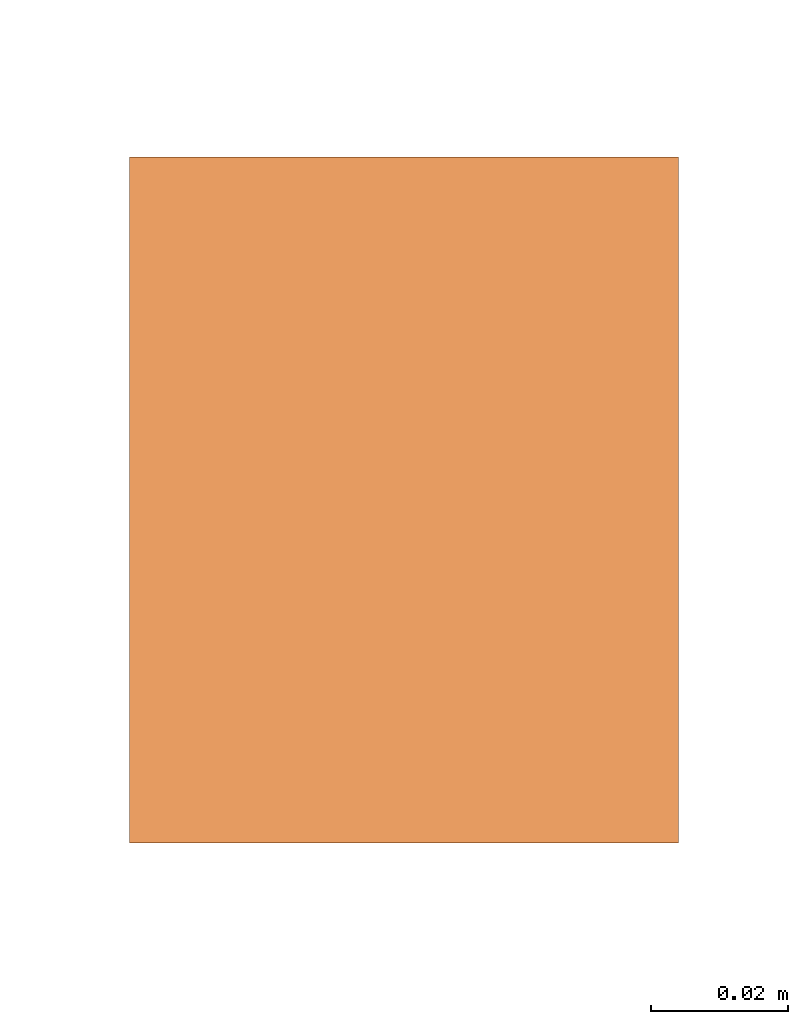
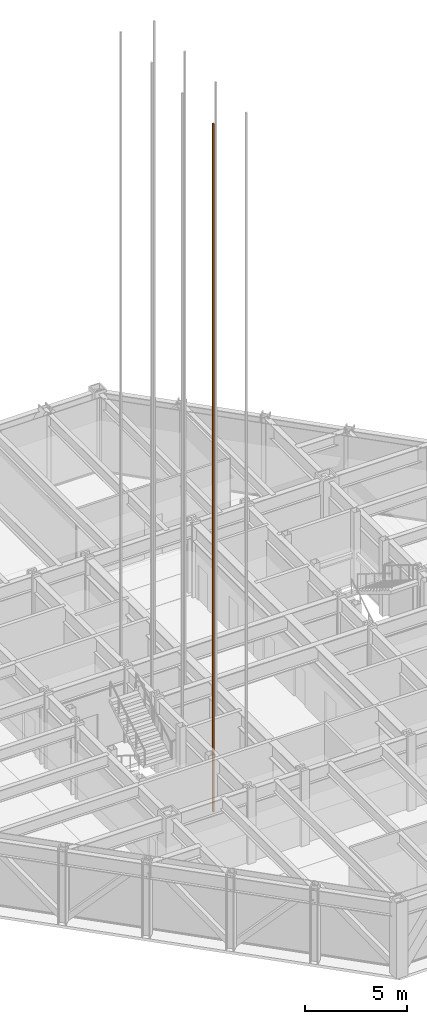
# One storey, part 17 of 24: 1 proxy.
"""IFC4 building model written with IfcOpenShell, lengths in metres."""

import ifcopenshell
import ifcopenshell.guid

model = None  # the IFC model being written
_history = None  # IfcOwnerHistory: only IFC2X3 demands one
_inside = {}  # id of a spatial element -> (the spatial element, [elements in it])
_under = {}  # id of a project, library or spatial element -> (it, [spatial elements below it])
_declared = {}  # id of a project -> (the project, [libraries it declares])
_typed = {}  # id of a type object -> (the type object, [elements of that type])
_made_of = {}  # id of a material, layer set ... -> (it, [elements and type objects made of it])


def new_model(schema):
    """Start an empty IFC model of exactly this schema.

    Asked for "IFC4X3", IfcOpenShell would pick the latest addendum, in which some entities
    have other attributes; the version numbers below select the first issue.
    IFC2X3 requires an IfcOwnerHistory on every rooted entity: one is made here for all.
    """
    global model, _history
    if schema == "IFC4X3":
        model = ifcopenshell.file(schema_version=(4, 3, 0, 0))
    else:
        model = ifcopenshell.file(schema=schema)
    _inside.clear()
    _under.clear()
    _declared.clear()
    _typed.clear()
    _made_of.clear()
    _history = None
    if model.schema == "IFC2X3":
        org = make("IfcOrganization", Name="unknown")
        user = make(
            "IfcPersonAndOrganization",
            ThePerson=make("IfcPerson", FamilyName="unknown"),
            TheOrganization=org,
        )
        app = make(
            "IfcApplication",
            ApplicationDeveloper=org,
            Version="unknown",
            ApplicationFullName="unknown",
            ApplicationIdentifier="unknown",
        )
        _history = make(
            "IfcOwnerHistory",
            OwningUser=user,
            OwningApplication=app,
            ChangeAction="ADDED",
            CreationDate=0,
        )
    return model


def make(cls, **values):
    """One entity of the class cls with the attributes given. An attribute that is None is left unset."""
    return model.create_entity(
        cls, **{name: value for name, value in values.items() if value is not None}
    )


def rooted(cls, **values):
    """An entity with a GlobalId (a new one), such as an element, a storey or a relation."""
    return make(cls, GlobalId=ifcopenshell.guid.new(), OwnerHistory=_history, **values)


def si_unit(unit_type, name, prefix=None):
    """IfcSIUnit, for example si_unit("LENGTHUNIT", "METRE", prefix="MILLI")."""
    return make("IfcSIUnit", UnitType=unit_type, Prefix=prefix, Name=name)


def assignment(units):
    """IfcUnitAssignment: the units of a project."""
    return None if units is None else make("IfcUnitAssignment", Units=units)


def point(xyz):
    """IfcCartesianPoint."""
    return None if xyz is None else make("IfcCartesianPoint", Coordinates=xyz)


def direction(xyz):
    """IfcDirection."""
    return None if xyz is None else make("IfcDirection", DirectionRatios=xyz)


def frame(location, z_axis=None, x_axis=None):
    """IfcAxis2Placement3D, a coordinate frame: its origin and axes. An axis left out is left unset."""
    return make(
        "IfcAxis2Placement3D",
        Location=point(location),
        Axis=direction(z_axis),
        RefDirection=direction(x_axis),
    )


def frame_2d(location, x_axis=None):
    """IfcAxis2Placement2D, a coordinate frame in the plane: its origin and x axis."""
    return make(
        "IfcAxis2Placement2D", Location=point(location), RefDirection=direction(x_axis)
    )


def origin():
    """The frame at (0, 0, 0) with its axes left unset."""
    return frame((0.0, 0.0, 0.0))


def origin_2d():
    """The frame at (0, 0) in the plane with its x axis left unset."""
    return frame_2d((0.0, 0.0))


def place(relative_to, where):
    """IfcLocalPlacement: puts the frame where relative to a parent placement (None: the world)."""
    return make(
        "IfcLocalPlacement", PlacementRelTo=relative_to, RelativePlacement=where
    )


def context(
    kind, dimensions, precision=None, world=None, true_north=None, identifier=None
):
    """IfcGeometricRepresentationContext, for example the 3D "Model" context."""
    return make(
        "IfcGeometricRepresentationContext",
        ContextIdentifier=identifier,
        ContextType=kind,
        CoordinateSpaceDimension=dimensions,
        Precision=precision,
        WorldCoordinateSystem=world,
        TrueNorth=true_north,
    )


def subcontext(parent, identifier, kind, view, scale=None):
    """IfcGeometricRepresentationSubContext, for example "Body" below "Model"."""
    return make(
        "IfcGeometricRepresentationSubContext",
        ContextIdentifier=identifier,
        ContextType=kind,
        ParentContext=parent,
        TargetScale=scale,
        TargetView=view,
    )


def project(units=None, contexts=None):
    """IfcProject with its units and contexts."""
    return rooted(
        "IfcProject",
        Name="project",
        RepresentationContexts=contexts,
        UnitsInContext=assignment(units),
    )


def spatial(cls, under=None, at=None, **own):
    """A site, building, storey or space (cls), placed at a placement, below another one or the project."""
    s = rooted(cls, ObjectPlacement=at, **own)
    if under is not None:
        _under.setdefault(under.id(), (under, []))[1].append(s)
    return s


def profile(cls, at=None, kind="AREA", **sizes):
    """A parametric profile (cls). Its sizes go by their IFC names, for example OverallWidth=200.0."""
    return make(cls, ProfileType=kind, Position=at, **sizes)


def rectangle(**sizes):
    """IfcRectangleProfileDef."""
    return profile("IfcRectangleProfileDef", **sizes)


def extrude(swept, where, along, depth):
    """IfcExtrudedAreaSolid: the profile swept, set in the frame where, extruded along a direction by depth."""
    return make(
        "IfcExtrudedAreaSolid",
        SweptArea=swept,
        Position=where,
        ExtrudedDirection=direction(along),
        Depth=depth,
    )


def shape(context_of_items, identifier, shape_type, items):
    """IfcShapeRepresentation: the items that make up one representation, for example the "Body"."""
    return make(
        "IfcShapeRepresentation",
        ContextOfItems=context_of_items,
        RepresentationIdentifier=identifier,
        RepresentationType=shape_type,
        Items=items,
    )


def material(Name=None, Category=None):
    """IfcMaterial."""
    return make("IfcMaterial", Name=Name, Category=Category)


def made_of(thing, what):
    """Note that an element or type object is made of a material, layer set ...; save() writes the relation."""
    if what is not None:
        _made_of.setdefault(what.id(), (what, []))[1].append(thing)
    return thing


def type_object(cls, material=None, **own):
    """A type object (cls), such as IfcWallType, which elements share."""
    return made_of(rooted(cls, **own), material)


def element(
    cls,
    number,
    at=None,
    inside=None,
    cuts=None,
    type_object=None,
    material=None,
    context=None,
    identifier="Body",
    shape_type=None,
    held_by="IfcProductDefinitionShape",
    body=None,
    shapes=None,
    **own,
):
    """One element of the class cls, such as IfcWall. Its Tag is "e" and its number.

    at: its placement. inside: the storey or other place that contains it. cuts: it is an
    opening in that element (IfcRelVoidsElement). A single representation is given by context,
    identifier, shape_type and body (its items); several are given by shapes. held_by: the class
    of the entity that holds the representations. save() writes the other relations.
    """
    e = rooted(cls, Tag="e%d" % number, ObjectPlacement=at, **own)
    if body is not None:
        shapes = [shape(context, identifier, shape_type, body)]
    if shapes is not None:
        e.Representation = make(held_by, Representations=shapes)
    if inside is not None:
        _inside.setdefault(inside.id(), (inside, []))[1].append(e)
    if cuts is not None:
        rooted(
            "IfcRelVoidsElement", RelatingBuildingElement=cuts, RelatedOpeningElement=e
        )
    if type_object is not None:
        _typed.setdefault(type_object.id(), (type_object, []))[1].append(e)
    return made_of(e, material)


def aggregate(whole, parts):
    """IfcRelAggregates: a whole, such as a stair, and the parts it consists of."""
    return rooted("IfcRelAggregates", RelatingObject=whole, RelatedObjects=parts)


def save(model, path):
    """Write the relations noted so far, then the file.

    IfcRelAggregates (storeys below a building ...), IfcRelContainedInSpatialStructure (elements
    in a storey), IfcRelDefinesByType, IfcRelAssociatesMaterial and IfcRelDeclares: one each for
    every whole, place, type object, material and project.
    """
    for whole, parts in _under.values():
        aggregate(whole, parts)
    for where, things in _inside.values():
        rooted(
            "IfcRelContainedInSpatialStructure",
            RelatedElements=things,
            RelatingStructure=where,
        )
    for kind, things in _typed.values():
        rooted("IfcRelDefinesByType", RelatedObjects=things, RelatingType=kind)
    for what, things in _made_of.values():
        rooted("IfcRelAssociatesMaterial", RelatedObjects=things, RelatingMaterial=what)
    for by, libraries in _declared.values():
        rooted("IfcRelDeclares", RelatingContext=by, RelatedDefinitions=libraries)
    model.write(path)


model = new_model("IFC4")

# Units and contexts
model_context = context("Model", 3, precision=1e-05, world=origin(), true_north=direction((0.0, 1.0)))
body_context = subcontext(model_context, "Body", "Model", "MODEL_VIEW")
ifc_project = project(units=[si_unit("LENGTHUNIT", "METRE"), si_unit("AREAUNIT", "SQUARE_METRE"), si_unit("VOLUMEUNIT", "CUBIC_METRE"), si_unit("PLANEANGLEUNIT", "RADIAN"), si_unit("MASSUNIT", "GRAM", prefix="KILO")], contexts=[model_context])

# Site, building, storey
site_placement = place(None, origin())
site = spatial("IfcSite", under=ifc_project, at=site_placement, CompositionType="ELEMENT")
building_placement = place(site_placement, origin())
building = spatial("IfcBuilding", under=site, at=building_placement, Name="Chuquiago Exchange Tower", CompositionType="ELEMENT")
storey_placement = place(building_placement, frame((0.0, 0.0, 257.699951171875)))
storey = spatial("IfcBuildingStorey", under=building, at=storey_placement, Name="L57", CompositionType="ELEMENT", Elevation=257.699951171875)

# Proxy
ifc_material = material(Name="Galvanised steel guide rail", Category="steel")
building_element_proxy_type = type_object("IfcBuildingElementProxyType", Name="LR lift guide rail", PredefinedType="NOTDEFINED", material=ifc_material)
proxy_placement = place(storey_placement, frame((17.06494140625, 16.5, 0.0), z_axis=(0.0, 0.0, 1.0), x_axis=(1.0, 0.0, 0.0)))
element("IfcBuildingElementProxy", 1, at=proxy_placement, inside=storey, type_object=building_element_proxy_type, Name="Lift LD1 guide rail W", PredefinedType="NOTDEFINED", context=body_context, shape_type="SweptSolid", body=[
    extrude(rectangle(XDim=0.080078125, YDim=0.10009765625, at=origin_2d()), origin(), (0.0, 0.0, 1.0), 41.0),
])

save(model, "model.ifc")
